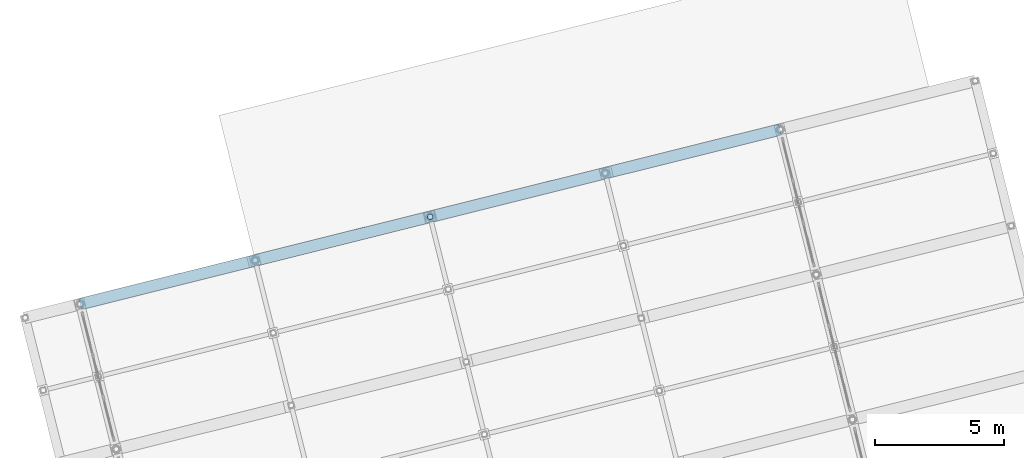
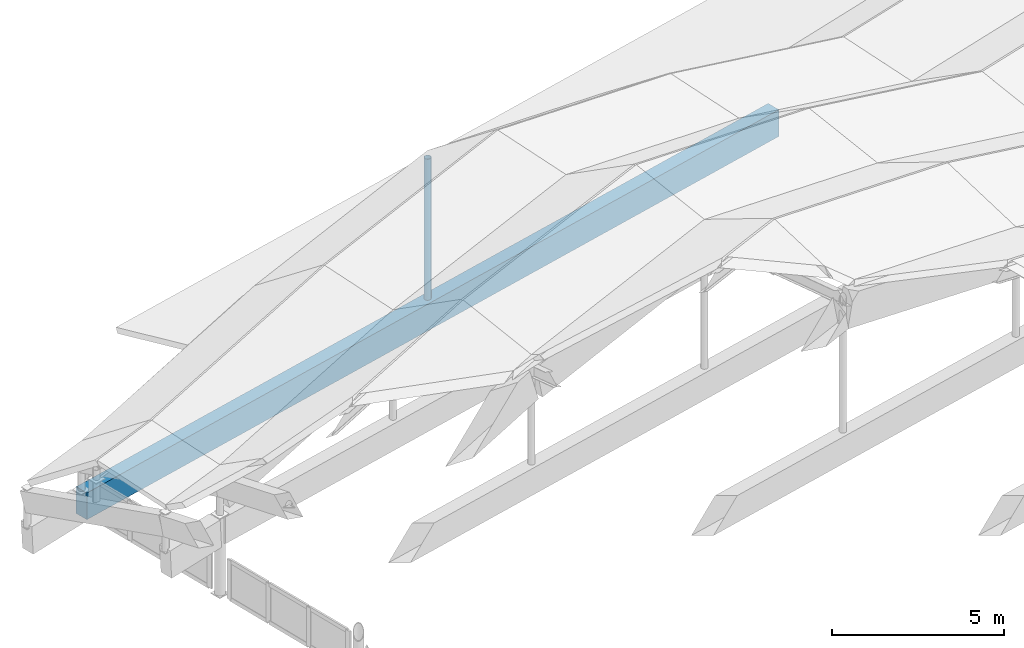
# One storey, part 28 of 65: 1 beam, 1 member.
"""IFC4 building model written with IfcOpenShell, lengths in metres."""

from ifc_helpers import new_model, si_unit, direction, frame, origin, origin_2d, place, context, subcontext, project, spatial, rectangle, hollow_circle, extrude, material, material_profile, profile_set, type_object, element, save


model = new_model("IFC4")

# Units and contexts
model_context = context("Model", 3, precision=1e-05, world=origin(), true_north=direction((0.0, 1.0)))
body_context = subcontext(model_context, "Body", "Model", "MODEL_VIEW")
ifc_project = project(units=[si_unit("LENGTHUNIT", "METRE"), si_unit("AREAUNIT", "SQUARE_METRE"), si_unit("VOLUMEUNIT", "CUBIC_METRE"), si_unit("PLANEANGLEUNIT", "RADIAN"), si_unit("MASSUNIT", "GRAM", prefix="KILO")], contexts=[model_context])

# Site, building, storey
site_placement = place(None, origin())
site = spatial("IfcSite", under=ifc_project, at=site_placement, CompositionType="ELEMENT")
building_placement = place(site_placement, origin())
building = spatial("IfcBuilding", under=site, at=building_placement, Name="Cinderway Yard Community Centre", CompositionType="ELEMENT")
storey_placement = place(building_placement, frame((0.0, 0.0, 24.300048828125)))
storey = spatial("IfcBuildingStorey", under=building, at=storey_placement, Name="RF", CompositionType="ELEMENT", Elevation=24.300048828125)

# Beam
ifc_material_1 = material(Name="Concrete C40/50", Category="concrete")
ifc_material_profile_1 = material_profile(ifc_material_1, rectangle(XDim=0.449951171875, YDim=0.949951171875, at=origin_2d()), Name="Concrete C40/50")
ifc_profile_set_1 = profile_set([ifc_material_profile_1], Name="Concrete C40/50")
beam_type = type_object("IfcBeamType", Name="STR-BM-RC450X950", PredefinedType="BEAM", material=ifc_profile_set_1)
beam_placement = place(storey_placement, frame((9.987060546875, 64.510986328125, -11.125), z_axis=(0.970296171364, 0.241920110444, 0.0), x_axis=(-0.241920110444, 0.970296171364, 0.0)))
element("IfcBeam", 1, at=beam_placement, inside=storey, type_object=beam_type, Name="Main Hall folded-plate arch tie girder 08", PredefinedType="BEAM", context=body_context, shape_type="SweptSolid", body=[
    extrude(rectangle(XDim=0.449951171875, YDim=0.949951171875, at=origin_2d()), origin(), (0.0, 0.0, 1.0), 28.000732421875),
])

# Member
ifc_material_2 = material(Name="Steel S355", Category="steel")
ifc_material_profile_2 = material_profile(ifc_material_2, hollow_circle(Radius=0.109619140625, WallThickness=0.010009765625, at=origin_2d()), Name="Steel S355")
ifc_profile_set_2 = profile_set([ifc_material_profile_2], Name="Steel S355")
member_type = type_object("IfcMemberType", Name="STR-MEM-STRUT-CHS219", PredefinedType="STRUT", material=ifc_profile_set_2)
member_placement = place(storey_placement, frame((23.572021484375, 67.89794921875, -10.75), z_axis=(0.0, 0.0, 1.0), x_axis=(1.0, 0.0, 0.0)))
element("IfcMember", 2, at=member_placement, inside=storey, type_object=member_type, Name="Arch rib web post 08-14", PredefinedType="STRUT", context=body_context, shape_type="SweptSolid", body=[
    extrude(hollow_circle(Radius=0.109619140625, WallThickness=0.010009765625, at=origin_2d()), origin(), (0.0, 0.0, 1.0), 5.10986328125),
])

save(model, "model.ifc")
